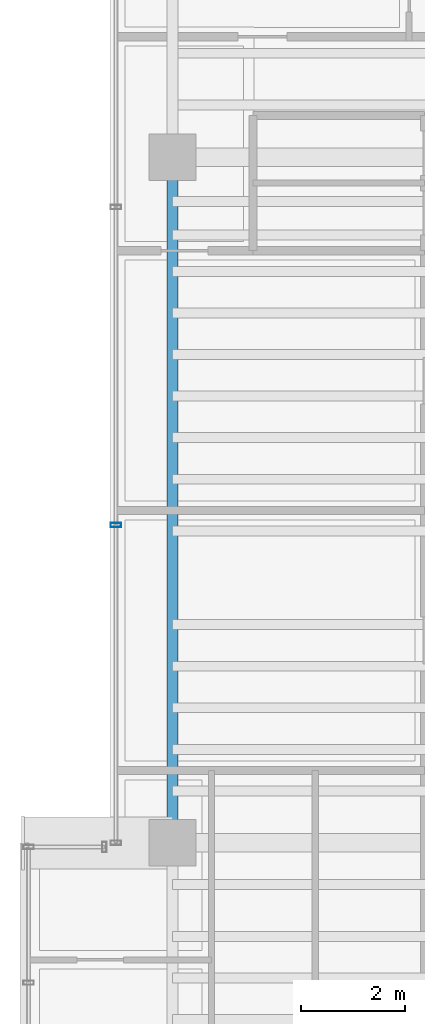
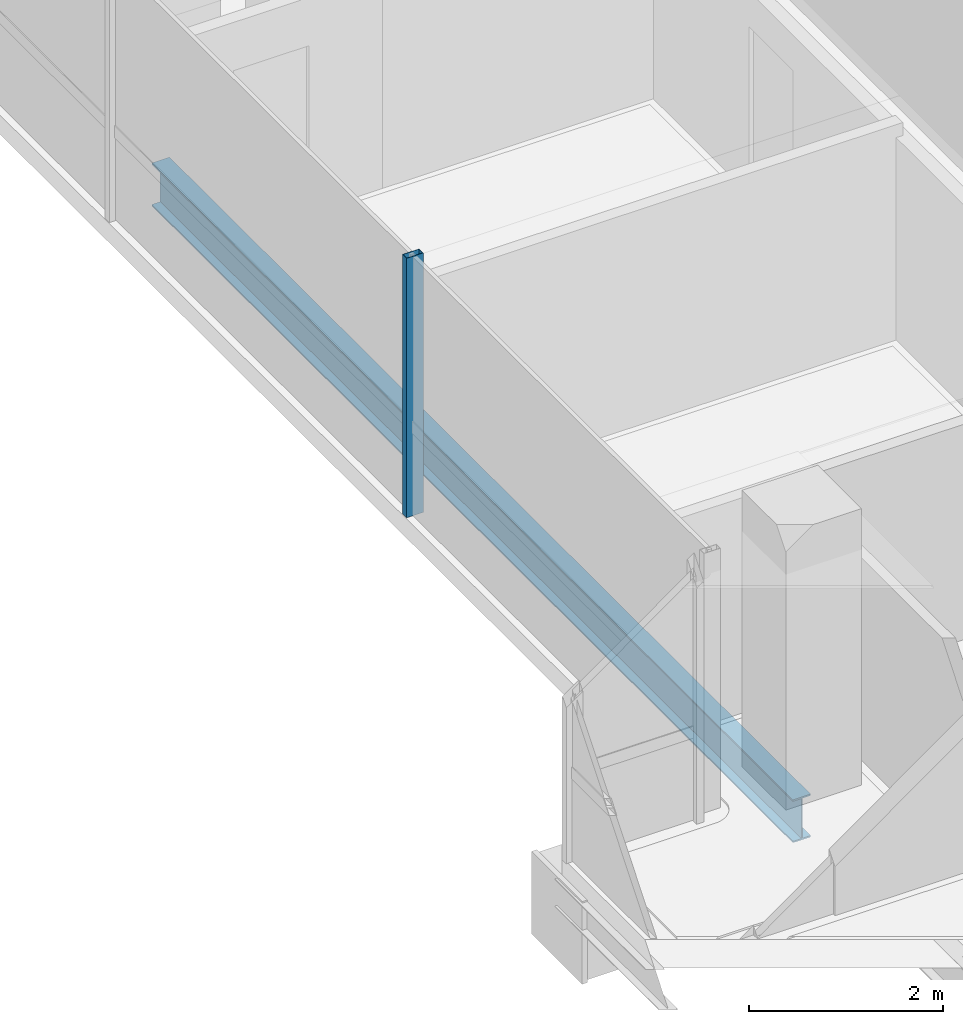
# One storey, part 7 of 24: 1 beam, 1 member, 1 element without a shape of its own.
"""IFC4 building model written with IfcOpenShell, lengths in metres."""

from ifc_helpers import new_model, si_unit, direction, frame, origin, origin_2d, place, context, subcontext, project, spatial, hollow_rectangle, i_section, extrude, source, transform, mapped, material, material_profile, profile_set, type_object, element, aggregate, save


model = new_model("IFC4")

# Units and contexts
model_context = context("Model", 3, precision=1e-05, world=origin(), true_north=direction((0.0, 1.0)))
body_context = subcontext(model_context, "Body", "Model", "MODEL_VIEW")
ifc_project = project(units=[si_unit("LENGTHUNIT", "METRE"), si_unit("AREAUNIT", "SQUARE_METRE"), si_unit("VOLUMEUNIT", "CUBIC_METRE"), si_unit("PLANEANGLEUNIT", "RADIAN"), si_unit("MASSUNIT", "GRAM", prefix="KILO")], contexts=[model_context])

# Site, building, storey
site_placement = place(None, origin())
site = spatial("IfcSite", under=ifc_project, at=site_placement, CompositionType="ELEMENT")
building_placement = place(site_placement, origin())
building = spatial("IfcBuilding", under=site, at=building_placement, Name="Valdorenza Pilgrim Sanctuary Tower", CompositionType="ELEMENT")
storey_placement = place(building_placement, frame((0.0, 0.0, 205.5)))
storey = spatial("IfcBuildingStorey", under=building, at=storey_placement, Name="L52", CompositionType="ELEMENT", Elevation=205.5)

# Beam
ifc_material_1 = material(Name="Steel ASTM A992 Grade 50", Category="steel")
ifc_material_profile_1 = material_profile(ifc_material_1, i_section(OverallWidth=0.2109375, OverallDepth=0.5390625, WebThickness=0.01171875, FlangeThickness=0.018798828125, at=origin_2d()), Name="W21X73")
ifc_profile_set_1 = profile_set([ifc_material_profile_1], Name="Steel ASTM A992 Grade 50")
beam_type = type_object("IfcBeamType", Name="STR-BM-SPN-W21B", PredefinedType="SPANDREL", material=ifc_profile_set_1)
shared_shape_1 = source(origin(), body_context, "Body", "SweptSolid", [
    extrude(i_section(OverallWidth=0.2109375, OverallDepth=0.5390625, WebThickness=0.01171875, FlangeThickness=0.018798828125, at=origin_2d()), origin(), (0.0, 0.0, 1.0), 13.2001953125),
])
beam_placement = place(storey_placement, frame((-29.800048828125, -2.60009765625, -0.509521484375), z_axis=(0.0, 1.0, 0.0), x_axis=(-1.0, 0.0, 0.0)))
element("IfcBeam", 1, at=beam_placement, inside=storey, type_object=beam_type, Name="L52 Spandrel Beam WA-W-M0N1", PredefinedType="SPANDREL", context=body_context, shape_type="MappedRepresentation", body=[
    mapped(shared_shape_1, transform((0.0, 0.0, 0.0), x_axis=(1.0, 0.0, 0.0), y_axis=(0.0, 1.0, 0.0), z_axis=(0.0, 0.0, 1.0), scale=1.0)),
])

# Curtain wall, member
ifc_material_2 = material(Name="Curtain-wall IGU glazing", Category="glass")
curtain_wall_type = type_object("IfcCurtainWallType", Name="CW-SYS-02", PredefinedType="NOTDEFINED", material=ifc_material_2)
curtain_wall_placement = place(storey_placement, origin())
curtain_wall = element("IfcCurtainWall", 2, at=curtain_wall_placement, inside=storey, type_object=curtain_wall_type, Name="L52 Curtain Wall CW-L52-1-1S2", PredefinedType="NOTDEFINED")
ifc_material_3 = material(Name="Anodised aluminium AW-6060", Category="aluminium")
ifc_material_profile_2 = material_profile(ifc_material_3, hollow_rectangle(XDim=0.0849609375, YDim=0.199951171875, WallThickness=0.0048828125, at=origin_2d()), Name="ALU-M 200x85x5")
ifc_profile_set_2 = profile_set([ifc_material_profile_2], Name="Anodised aluminium AW-6060")
member_type = type_object("IfcMemberType", Name="CW-MUL-02", PredefinedType="MULLION", material=ifc_profile_set_2)
shared_shape_2 = source(origin(), body_context, "Body", "SweptSolid", [
    extrude(hollow_rectangle(XDim=0.0849609375, YDim=0.199951171875, WallThickness=0.0048828125, at=origin_2d()), origin(), (0.0, 0.0, 1.0), 3.260009765625),
])
member_placement = place(storey_placement, frame((-30.889892578125, 3.519287109375, 0.0), z_axis=(0.0, 0.0, 1.0), x_axis=(0.0, 1.0, 0.0)))
member = element("IfcMember", 3, at=member_placement, type_object=member_type, Name="CW-L52-1-1S2 Mullion 2", PredefinedType="MULLION", context=body_context, shape_type="MappedRepresentation", body=[
    mapped(shared_shape_2, transform((0.0, 0.0, 0.0), x_axis=(1.0, 0.0, 0.0), y_axis=(0.0, 1.0, 0.0), z_axis=(0.0, 0.0, 1.0), scale=1.0)),
])
aggregate(curtain_wall, [member])

save(model, "model.ifc")
